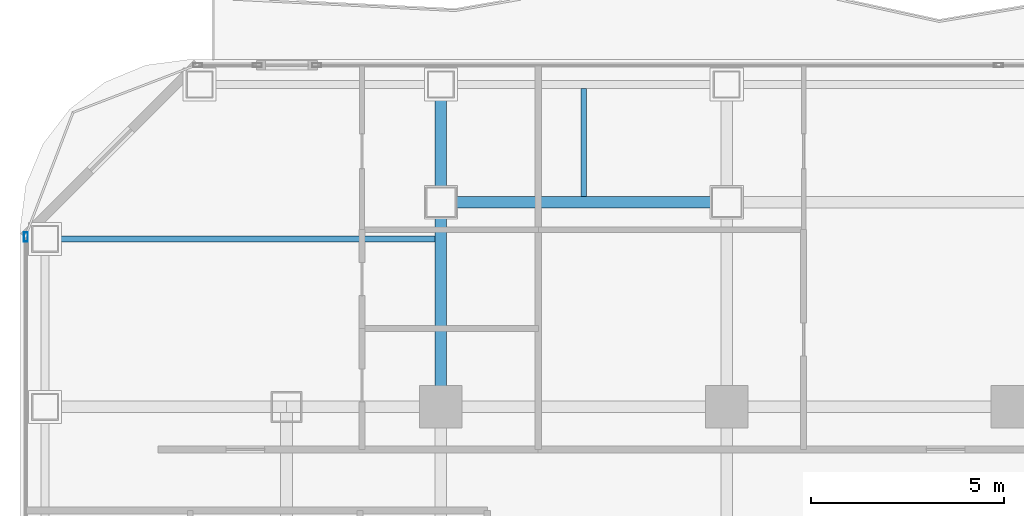
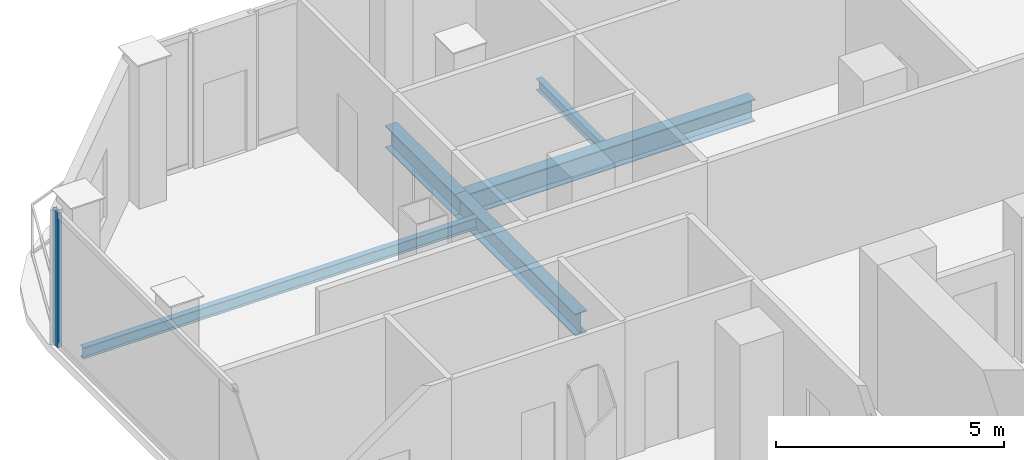
# One storey, part 11 of 26: 5 beams, 1 member, 1 element without a shape of its own.
"""IFC4 building model written with IfcOpenShell, lengths in metres."""

import ifcopenshell
import ifcopenshell.guid

model = None  # the IFC model being written
_history = None  # IfcOwnerHistory: only IFC2X3 demands one
_inside = {}  # id of a spatial element -> (the spatial element, [elements in it])
_under = {}  # id of a project, library or spatial element -> (it, [spatial elements below it])
_declared = {}  # id of a project -> (the project, [libraries it declares])
_typed = {}  # id of a type object -> (the type object, [elements of that type])
_made_of = {}  # id of a material, layer set ... -> (it, [elements and type objects made of it])


def new_model(schema):
    """Start an empty IFC model of exactly this schema.

    Asked for "IFC4X3", IfcOpenShell would pick the latest addendum, in which some entities
    have other attributes; the version numbers below select the first issue.
    IFC2X3 requires an IfcOwnerHistory on every rooted entity: one is made here for all.
    """
    global model, _history
    if schema == "IFC4X3":
        model = ifcopenshell.file(schema_version=(4, 3, 0, 0))
    else:
        model = ifcopenshell.file(schema=schema)
    _inside.clear()
    _under.clear()
    _declared.clear()
    _typed.clear()
    _made_of.clear()
    _history = None
    if model.schema == "IFC2X3":
        org = make("IfcOrganization", Name="unknown")
        user = make(
            "IfcPersonAndOrganization",
            ThePerson=make("IfcPerson", FamilyName="unknown"),
            TheOrganization=org,
        )
        app = make(
            "IfcApplication",
            ApplicationDeveloper=org,
            Version="unknown",
            ApplicationFullName="unknown",
            ApplicationIdentifier="unknown",
        )
        _history = make(
            "IfcOwnerHistory",
            OwningUser=user,
            OwningApplication=app,
            ChangeAction="ADDED",
            CreationDate=0,
        )
    return model


def make(cls, **values):
    """One entity of the class cls with the attributes given. An attribute that is None is left unset."""
    return model.create_entity(
        cls, **{name: value for name, value in values.items() if value is not None}
    )


def rooted(cls, **values):
    """An entity with a GlobalId (a new one), such as an element, a storey or a relation."""
    return make(cls, GlobalId=ifcopenshell.guid.new(), OwnerHistory=_history, **values)


def si_unit(unit_type, name, prefix=None):
    """IfcSIUnit, for example si_unit("LENGTHUNIT", "METRE", prefix="MILLI")."""
    return make("IfcSIUnit", UnitType=unit_type, Prefix=prefix, Name=name)


def assignment(units):
    """IfcUnitAssignment: the units of a project."""
    return None if units is None else make("IfcUnitAssignment", Units=units)


def point(xyz):
    """IfcCartesianPoint."""
    return None if xyz is None else make("IfcCartesianPoint", Coordinates=xyz)


def direction(xyz):
    """IfcDirection."""
    return None if xyz is None else make("IfcDirection", DirectionRatios=xyz)


def frame(location, z_axis=None, x_axis=None):
    """IfcAxis2Placement3D, a coordinate frame: its origin and axes. An axis left out is left unset."""
    return make(
        "IfcAxis2Placement3D",
        Location=point(location),
        Axis=direction(z_axis),
        RefDirection=direction(x_axis),
    )


def frame_2d(location, x_axis=None):
    """IfcAxis2Placement2D, a coordinate frame in the plane: its origin and x axis."""
    return make(
        "IfcAxis2Placement2D", Location=point(location), RefDirection=direction(x_axis)
    )


def origin():
    """The frame at (0, 0, 0) with its axes left unset."""
    return frame((0.0, 0.0, 0.0))


def origin_2d():
    """The frame at (0, 0) in the plane with its x axis left unset."""
    return frame_2d((0.0, 0.0))


def place(relative_to, where):
    """IfcLocalPlacement: puts the frame where relative to a parent placement (None: the world)."""
    return make(
        "IfcLocalPlacement", PlacementRelTo=relative_to, RelativePlacement=where
    )


def context(
    kind, dimensions, precision=None, world=None, true_north=None, identifier=None
):
    """IfcGeometricRepresentationContext, for example the 3D "Model" context."""
    return make(
        "IfcGeometricRepresentationContext",
        ContextIdentifier=identifier,
        ContextType=kind,
        CoordinateSpaceDimension=dimensions,
        Precision=precision,
        WorldCoordinateSystem=world,
        TrueNorth=true_north,
    )


def subcontext(parent, identifier, kind, view, scale=None):
    """IfcGeometricRepresentationSubContext, for example "Body" below "Model"."""
    return make(
        "IfcGeometricRepresentationSubContext",
        ContextIdentifier=identifier,
        ContextType=kind,
        ParentContext=parent,
        TargetScale=scale,
        TargetView=view,
    )


def project(units=None, contexts=None):
    """IfcProject with its units and contexts."""
    return rooted(
        "IfcProject",
        Name="project",
        RepresentationContexts=contexts,
        UnitsInContext=assignment(units),
    )


def spatial(cls, under=None, at=None, **own):
    """A site, building, storey or space (cls), placed at a placement, below another one or the project."""
    s = rooted(cls, ObjectPlacement=at, **own)
    if under is not None:
        _under.setdefault(under.id(), (under, []))[1].append(s)
    return s


def profile(cls, at=None, kind="AREA", **sizes):
    """A parametric profile (cls). Its sizes go by their IFC names, for example OverallWidth=200.0."""
    return make(cls, ProfileType=kind, Position=at, **sizes)


def hollow_rectangle(**sizes):
    """IfcRectangleHollowProfileDef."""
    return profile("IfcRectangleHollowProfileDef", **sizes)


def i_section(**sizes):
    """IfcIShapeProfileDef."""
    return profile("IfcIShapeProfileDef", **sizes)


def extrude(swept, where, along, depth):
    """IfcExtrudedAreaSolid: the profile swept, set in the frame where, extruded along a direction by depth."""
    return make(
        "IfcExtrudedAreaSolid",
        SweptArea=swept,
        Position=where,
        ExtrudedDirection=direction(along),
        Depth=depth,
    )


def shape(context_of_items, identifier, shape_type, items):
    """IfcShapeRepresentation: the items that make up one representation, for example the "Body"."""
    return make(
        "IfcShapeRepresentation",
        ContextOfItems=context_of_items,
        RepresentationIdentifier=identifier,
        RepresentationType=shape_type,
        Items=items,
    )


def material(Name=None, Category=None):
    """IfcMaterial."""
    return make("IfcMaterial", Name=Name, Category=Category)


def layer(
    of_material, thickness, ventilated=None, Name=None, Category=None, Priority=None
):
    """IfcMaterialLayer: one layer of a wall or slab, of a material (None: an air gap)."""
    return make(
        "IfcMaterialLayer",
        Material=of_material,
        LayerThickness=thickness,
        IsVentilated=ventilated,
        Name=Name,
        Category=Category,
        Priority=Priority,
    )


def layer_set(layers, Name=None):
    """IfcMaterialLayerSet."""
    return make("IfcMaterialLayerSet", MaterialLayers=layers, LayerSetName=Name)


def material_profile(
    of_material, cross_section, Name=None, Category=None, Priority=None
):
    """IfcMaterialProfile: a cross section and its material."""
    return make(
        "IfcMaterialProfile",
        Name=Name,
        Material=of_material,
        Profile=cross_section,
        Priority=Priority,
        Category=Category,
    )


def profile_set(profiles, Name=None, composite=None):
    """IfcMaterialProfileSet."""
    return make(
        "IfcMaterialProfileSet",
        Name=Name,
        MaterialProfiles=profiles,
        CompositeProfile=composite,
    )


def made_of(thing, what):
    """Note that an element or type object is made of a material, layer set ...; save() writes the relation."""
    if what is not None:
        _made_of.setdefault(what.id(), (what, []))[1].append(thing)
    return thing


def type_object(cls, material=None, **own):
    """A type object (cls), such as IfcWallType, which elements share."""
    return made_of(rooted(cls, **own), material)


def element(
    cls,
    number,
    at=None,
    inside=None,
    cuts=None,
    type_object=None,
    material=None,
    context=None,
    identifier="Body",
    shape_type=None,
    held_by="IfcProductDefinitionShape",
    body=None,
    shapes=None,
    **own,
):
    """One element of the class cls, such as IfcWall. Its Tag is "e" and its number.

    at: its placement. inside: the storey or other place that contains it. cuts: it is an
    opening in that element (IfcRelVoidsElement). A single representation is given by context,
    identifier, shape_type and body (its items); several are given by shapes. held_by: the class
    of the entity that holds the representations. save() writes the other relations.
    """
    e = rooted(cls, Tag="e%d" % number, ObjectPlacement=at, **own)
    if body is not None:
        shapes = [shape(context, identifier, shape_type, body)]
    if shapes is not None:
        e.Representation = make(held_by, Representations=shapes)
    if inside is not None:
        _inside.setdefault(inside.id(), (inside, []))[1].append(e)
    if cuts is not None:
        rooted(
            "IfcRelVoidsElement", RelatingBuildingElement=cuts, RelatedOpeningElement=e
        )
    if type_object is not None:
        _typed.setdefault(type_object.id(), (type_object, []))[1].append(e)
    return made_of(e, material)


def aggregate(whole, parts):
    """IfcRelAggregates: a whole, such as a stair, and the parts it consists of."""
    return rooted("IfcRelAggregates", RelatingObject=whole, RelatedObjects=parts)


def save(model, path):
    """Write the relations noted so far, then the file.

    IfcRelAggregates (storeys below a building ...), IfcRelContainedInSpatialStructure (elements
    in a storey), IfcRelDefinesByType, IfcRelAssociatesMaterial and IfcRelDeclares: one each for
    every whole, place, type object, material and project.
    """
    for whole, parts in _under.values():
        aggregate(whole, parts)
    for where, things in _inside.values():
        rooted(
            "IfcRelContainedInSpatialStructure",
            RelatedElements=things,
            RelatingStructure=where,
        )
    for kind, things in _typed.values():
        rooted("IfcRelDefinesByType", RelatedObjects=things, RelatingType=kind)
    for what, things in _made_of.values():
        rooted("IfcRelAssociatesMaterial", RelatedObjects=things, RelatingMaterial=what)
    for by, libraries in _declared.values():
        rooted("IfcRelDeclares", RelatingContext=by, RelatedDefinitions=libraries)
    model.write(path)


model = new_model("IFC4")

# Units and contexts
model_context = context("Model", 3, precision=1e-05, world=origin(), true_north=direction((0.0, 1.0)))
body_context = subcontext(model_context, "Body", "Model", "MODEL_VIEW")
ifc_project = project(units=[si_unit("LENGTHUNIT", "METRE"), si_unit("AREAUNIT", "SQUARE_METRE"), si_unit("VOLUMEUNIT", "CUBIC_METRE"), si_unit("PLANEANGLEUNIT", "RADIAN"), si_unit("MASSUNIT", "GRAM", prefix="KILO")], contexts=[model_context])

# Site, building, storey
site_placement = place(None, origin())
site = spatial("IfcSite", under=ifc_project, at=site_placement, CompositionType="ELEMENT")
building_placement = place(site_placement, origin())
building = spatial("IfcBuilding", under=site, at=building_placement, Name="Khorvyn Point Tower", CompositionType="ELEMENT")
storey_placement = place(building_placement, frame((0.0, 0.0, 187.5)))
storey = spatial("IfcBuildingStorey", under=building, at=storey_placement, Name="L46", CompositionType="ELEMENT", Elevation=187.5)

# Curtain wall, member
ifc_material_1 = material(Name="Anodised aluminium 6063-T6 and laminated Low-E glass", Category="aluminium")
ifc_layer = layer(ifc_material_1, 0.18994140625)
ifc_layer_set = layer_set([ifc_layer], Name="Stick-Built Acoustic Curtain Wall CW-SYS-03")
curtain_wall_type = type_object("IfcCurtainWallType", Name="Stick-Built Acoustic Curtain Wall CW-SYS-03", PredefinedType="NOTDEFINED", material=ifc_layer_set)
curtain_wall_placement = place(storey_placement, origin())
curtain_wall = element("IfcCurtainWall", 1, at=curtain_wall_placement, inside=storey, type_object=curtain_wall_type, Name="Curtain Wall", PredefinedType="NOTDEFINED")
ifc_material_2 = material(Name="Anodised aluminium 6063-T6", Category="aluminium")
ifc_material_profile_1 = material_profile(ifc_material_2, hollow_rectangle(XDim=0.10009765625, YDim=0.239990234375, WallThickness=0.0048828125, at=origin_2d()))
ifc_profile_set_1 = profile_set([ifc_material_profile_1], Name="Anodised aluminium 6063-T6 ALU-MUL-100x240")
member_type = type_object("IfcMemberType", Name="Anodised Aluminium 6063-T6 Mullion ALU-MUL-100x240", PredefinedType="MULLION", material=ifc_profile_set_1)
member_placement = place(storey_placement, frame((-25.550048828125, 19.199951171875, 0.0), z_axis=(0.0, 0.0, 1.0), x_axis=(-1.0, 0.0, 0.0)))
member = element("IfcMember", 2, at=member_placement, type_object=member_type, Name="Transom", PredefinedType="MULLION", context=body_context, shape_type="SweptSolid", body=[
    extrude(hollow_rectangle(XDim=0.10009765625, YDim=0.239990234375, WallThickness=0.0048828125, at=origin_2d()), origin(), (0.0, 0.0, 1.0), 3.6201171875),
])
aggregate(curtain_wall, [member])

# Beams
ifc_material_3 = material(Name="Steel S355", Category="steel")
ifc_material_profile_2 = material_profile(ifc_material_3, i_section(OverallWidth=0.300048828125, OverallDepth=0.587890625, WebThickness=0.011962890625, FlangeThickness=0.02001953125, at=origin_2d()))
ifc_profile_set_2 = profile_set([ifc_material_profile_2], Name="Steel S355 H588x300x12x20")
beam_type_1 = type_object("IfcBeamType", Name="Steel S355 Beam H588x300x12x20", PredefinedType="BEAM", material=ifc_profile_set_2)
beam_1_placement = place(storey_placement, frame((-14.800048828125, 20.10009765625, -0.513916015625), z_axis=(1.0, 0.0, 0.0), x_axis=(0.0, 1.0, 0.0)))
element("IfcBeam", 3, at=beam_1_placement, inside=storey, type_object=beam_type_1, Name="Beam", PredefinedType="BEAM", context=body_context, shape_type="SweptSolid", body=[
    extrude(i_section(OverallWidth=0.300048828125, OverallDepth=0.587890625, WebThickness=0.011962890625, FlangeThickness=0.02001953125, at=origin_2d()), origin(), (0.0, 0.0, 1.0), 7.400146484375),
])
beam_2_placement = place(storey_placement, frame((-14.800048828125, 14.800048828125, -0.513916015625), z_axis=(0.0, 1.0, 0.0), x_axis=(-1.0, 0.0, 0.0)))
element("IfcBeam", 4, at=beam_2_placement, inside=storey, type_object=beam_type_1, Name="Beam", PredefinedType="BEAM", context=body_context, shape_type="SweptSolid", body=[
    extrude(i_section(OverallWidth=0.300048828125, OverallDepth=0.587890625, WebThickness=0.011962890625, FlangeThickness=0.02001953125, at=origin_2d()), origin(), (0.0, 0.0, 1.0), 5.300048828125),
])
beam_3_placement = place(storey_placement, frame((-14.800048828125, 20.10009765625, -0.513916015625), z_axis=(0.0, 1.0, 0.0), x_axis=(-1.0, 0.0, 0.0)))
element("IfcBeam", 5, at=beam_3_placement, inside=storey, type_object=beam_type_1, Name="Beam", PredefinedType="BEAM", context=body_context, shape_type="SweptSolid", body=[
    extrude(i_section(OverallWidth=0.300048828125, OverallDepth=0.587890625, WebThickness=0.011962890625, FlangeThickness=0.02001953125, at=origin_2d()), origin(), (0.0, 0.0, 1.0), 3.0498046875),
])
ifc_material_profile_3 = material_profile(ifc_material_3, i_section(OverallWidth=0.14990234375, OverallDepth=0.300048828125, WebThickness=0.006591796875, FlangeThickness=0.009033203125, at=origin_2d()))
ifc_profile_set_3 = profile_set([ifc_material_profile_3], Name="Steel S355 H300x150x6.5x9")
beam_type_2 = type_object("IfcBeamType", Name="Steel S355 Joist H300x150x6.5x9", PredefinedType="JOIST", material=ifc_profile_set_3)
beam_4_placement = place(storey_placement, frame((-11.10009765625, 20.25, -0.3701171875), z_axis=(0.0, 1.0, 0.0), x_axis=(-1.0, 0.0, 0.0)))
element("IfcBeam", 6, at=beam_4_placement, inside=storey, type_object=beam_type_2, Name="Beam", PredefinedType="JOIST", context=body_context, shape_type="SweptSolid", body=[
    extrude(i_section(OverallWidth=0.14990234375, OverallDepth=0.300048828125, WebThickness=0.006591796875, FlangeThickness=0.009033203125, at=origin_2d()), origin(), (0.0, 0.0, 1.0), 2.800048828125),
])
beam_5_placement = place(storey_placement, frame((-24.949951171875, 19.14990234375, -0.3701171875), z_axis=(1.0, 0.0, 0.0), x_axis=(0.0, 1.0, 0.0)))
element("IfcBeam", 7, at=beam_5_placement, inside=storey, type_object=beam_type_2, Name="Beam", PredefinedType="JOIST", context=body_context, shape_type="SweptSolid", body=[
    extrude(i_section(OverallWidth=0.14990234375, OverallDepth=0.300048828125, WebThickness=0.006591796875, FlangeThickness=0.009033203125, at=origin_2d()), origin(), (0.0, 0.0, 1.0), 10.0),
])

save(model, "model.ifc")
